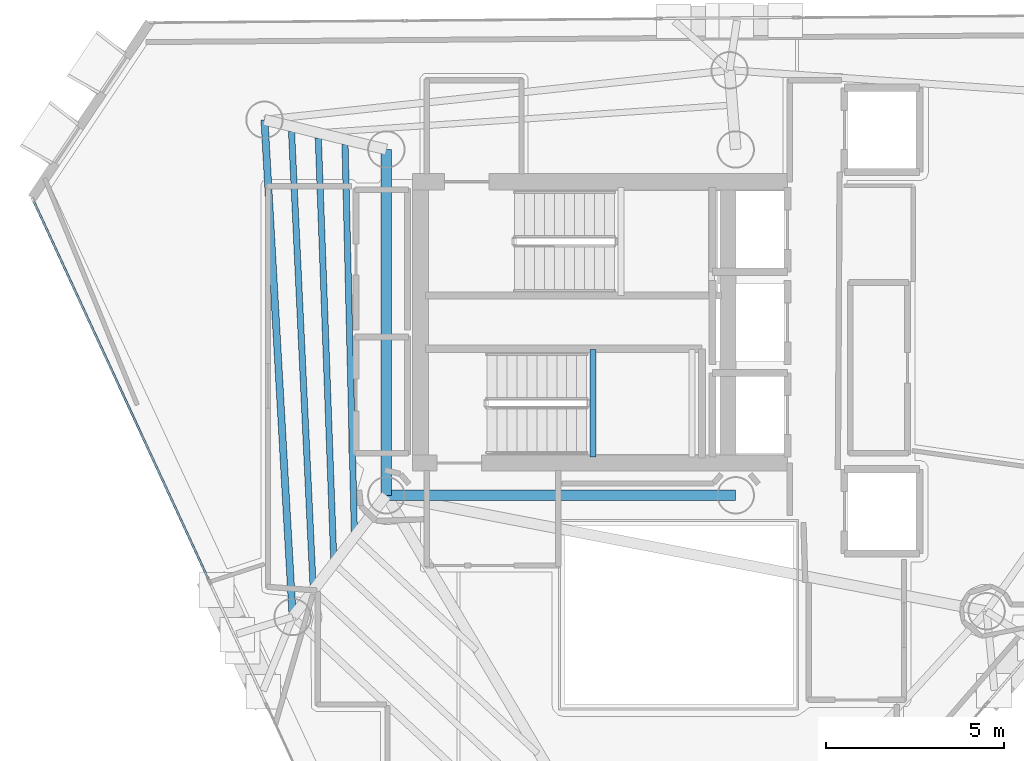
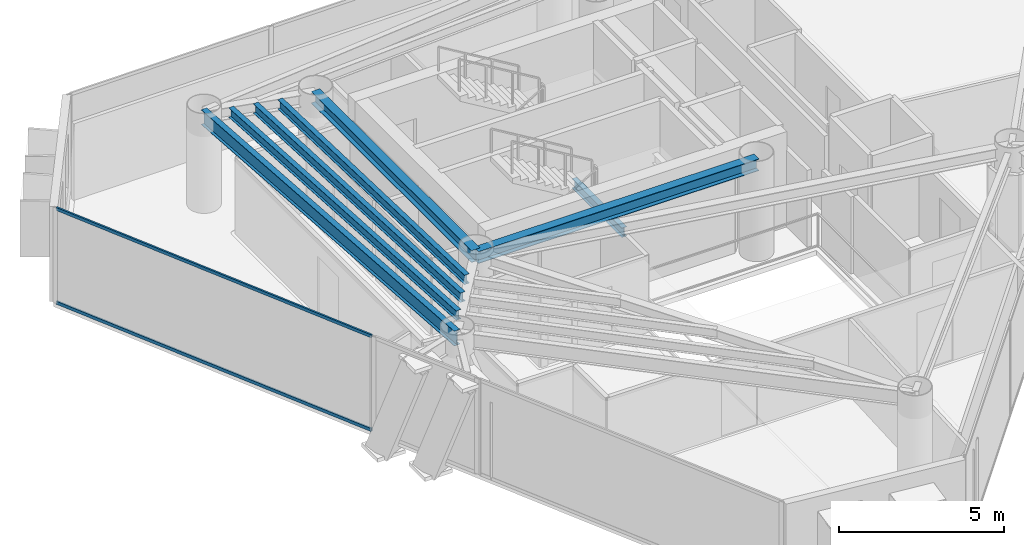
# One storey, part 7 of 21: 7 beams, 2 members, 1 element without a shape of its own.
"""IFC4 building model written with IfcOpenShell, lengths in metres."""

from ifc_helpers import new_model, si_unit, direction, frame, origin, origin_2d, place, context, subcontext, project, spatial, hollow_rectangle, i_section, extrude, material, layer, layer_set, material_profile, profile_set, type_object, element, aggregate, save


model = new_model("IFC4")

# Units and contexts
model_context = context("Model", 3, precision=1e-05, world=origin(), true_north=direction((0.0, 1.0)))
body_context = subcontext(model_context, "Body", "Model", "MODEL_VIEW")
ifc_project = project(units=[si_unit("LENGTHUNIT", "METRE"), si_unit("AREAUNIT", "SQUARE_METRE"), si_unit("VOLUMEUNIT", "CUBIC_METRE"), si_unit("PLANEANGLEUNIT", "RADIAN"), si_unit("MASSUNIT", "GRAM", prefix="KILO")], contexts=[model_context])

# Site, building, storey
site_placement = place(None, origin())
site = spatial("IfcSite", under=ifc_project, at=site_placement, CompositionType="ELEMENT")
building_placement = place(site_placement, origin())
building = spatial("IfcBuilding", under=site, at=building_placement, Name="Qianvela Tower", CompositionType="ELEMENT")
storey_placement = place(building_placement, frame((0.0, 0.0, 253.800048828125)))
storey = spatial("IfcBuildingStorey", under=building, at=storey_placement, Name="L65", CompositionType="ELEMENT", Elevation=253.800048828125)

# Beams
ifc_material_1 = material(Name="Steel Q355B", Category="steel")
ifc_material_profile_1 = material_profile(ifc_material_1, i_section(OverallWidth=0.300048828125, OverallDepth=0.43994140625, WebThickness=0.010986328125, FlangeThickness=0.01806640625, at=origin_2d()), Name="HM440x300x11x18")
ifc_profile_set_1 = profile_set([ifc_material_profile_1], Name="Steel Q355B")
beam_type_1 = type_object("IfcBeamType", Name="BM-HM440-COLL", PredefinedType="BEAM", material=ifc_profile_set_1)
beam_1_placement = place(storey_placement, frame((28.60009765625, 23.85009765625, 3.2978515625), z_axis=(1.0, 0.0, 0.0), x_axis=(0.0, 1.0, 0.0)))
element("IfcBeam", 1, at=beam_1_placement, inside=storey, type_object=beam_type_1, Name="L65 Core Ring Collector Girder CC1", PredefinedType="BEAM", context=body_context, shape_type="SweptSolid", body=[
    extrude(i_section(OverallWidth=0.300048828125, OverallDepth=0.43994140625, WebThickness=0.010986328125, FlangeThickness=0.01806640625, at=origin_2d()), origin(), (0.0, 0.0, 1.0), 9.7998046875),
])
beam_2_placement = place(storey_placement, frame((28.60009765625, 33.550048828125, 3.2978515625), z_axis=(0.0, -1.0, 0.0), x_axis=(1.0, 0.0, 0.0)))
element("IfcBeam", 2, at=beam_2_placement, inside=storey, type_object=beam_type_1, Name="L65 Core Ring Collector Girder CC2", PredefinedType="BEAM", context=body_context, shape_type="SweptSolid", body=[
    extrude(i_section(OverallWidth=0.300048828125, OverallDepth=0.43994140625, WebThickness=0.010986328125, FlangeThickness=0.01806640625, at=origin_2d()), origin(), (0.0, 0.0, 1.0), 9.699951171875),
])
ifc_material_2 = material(Name="Steel Q355B", Category="steel")
ifc_material_profile_2 = material_profile(ifc_material_2, i_section(OverallWidth=0.175048828125, OverallDepth=0.35009765625, WebThickness=0.007080078125, FlangeThickness=0.010986328125, at=origin_2d()), Name="HN350x175x7x11")
ifc_profile_set_2 = profile_set([ifc_material_profile_2], Name="Steel Q355B")
beam_type_2 = type_object("IfcBeamType", Name="BM-HN350-JOIST", PredefinedType="JOIST", material=ifc_profile_set_2)
beam_3_placement = place(storey_placement, frame((27.44140625, 33.6875, 3.343017578125), z_axis=(0.024087497273, -0.999709854145, 0.0), x_axis=(0.999709854145, 0.024087497273, 0.0)))
element("IfcBeam", 3, at=beam_3_placement, inside=storey, type_object=beam_type_2, Name="L65 Secondary Composite Floor Joist 3.1", PredefinedType="JOIST", context=body_context, shape_type="SweptSolid", body=[
    extrude(i_section(OverallWidth=0.175048828125, OverallDepth=0.35009765625, WebThickness=0.007080078125, FlangeThickness=0.010986328125, at=origin_2d()), origin(), (0.0, 0.0, 1.0), 10.855224609375),
])
beam_4_placement = place(storey_placement, frame((26.69140625, 33.87109375, 3.343017578125), z_axis=(0.036597460417, -0.999330088555, 0.0), x_axis=(0.999330088555, 0.036597460417, 0.0)))
element("IfcBeam", 4, at=beam_4_placement, inside=storey, type_object=beam_type_2, Name="L65 Secondary Composite Floor Joist 3.2", PredefinedType="JOIST", context=body_context, shape_type="SweptSolid", body=[
    extrude(i_section(OverallWidth=0.175048828125, OverallDepth=0.35009765625, WebThickness=0.007080078125, FlangeThickness=0.010986328125, at=origin_2d()), origin(), (0.0, 0.0, 1.0), 11.794189453125),
])
beam_5_placement = place(storey_placement, frame((25.94091796875, 34.0546875, 3.343017578125), z_axis=(0.04729372403, -0.998881025782, 0.0), x_axis=(0.998881025782, 0.04729372403, 0.0)))
element("IfcBeam", 5, at=beam_5_placement, inside=storey, type_object=beam_type_2, Name="L65 Secondary Composite Floor Joist 3.3", PredefinedType="JOIST", context=body_context, shape_type="SweptSolid", body=[
    extrude(i_section(OverallWidth=0.175048828125, OverallDepth=0.35009765625, WebThickness=0.007080078125, FlangeThickness=0.010986328125, at=origin_2d()), origin(), (0.0, 0.0, 1.0), 12.735107421875),
])
beam_6_placement = place(storey_placement, frame((34.39990234375, 24.919921875, 1.474853515625), z_axis=(0.0, 1.0, 0.0), x_axis=(-1.0, 0.0, 0.0)))
element("IfcBeam", 6, at=beam_6_placement, inside=storey, type_object=beam_type_2, Name="L65 Stair ST-2 Landing Support Beam 1.1", PredefinedType="JOIST", context=body_context, shape_type="SweptSolid", body=[
    extrude(i_section(OverallWidth=0.175048828125, OverallDepth=0.35009765625, WebThickness=0.007080078125, FlangeThickness=0.010986328125, at=origin_2d()), origin(), (0.0, 0.0, 1.0), 3.02001953125),
])
ifc_material_3 = material(Name="Steel Q355B", Category="steel")
ifc_material_profile_3 = material_profile(ifc_material_3, i_section(OverallWidth=0.199951171875, OverallDepth=0.550048828125, WebThickness=0.010009765625, FlangeThickness=0.01611328125, at=origin_2d()), Name="HN550x200x10x16")
ifc_profile_set_3 = profile_set([ifc_material_profile_3], Name="Steel Q355B")
beam_type_3 = type_object("IfcBeamType", Name="BM-HN550-GIRD", PredefinedType="BEAM", material=ifc_profile_set_3)
beam_7_placement = place(storey_placement, frame((25.181884765625, 34.384033203125, 3.242919921875), z_axis=(0.056555056691, -0.998399481952, 0.0), x_axis=(0.998399481952, 0.056555056691, 0.0)))
element("IfcBeam", 7, at=beam_7_placement, inside=storey, type_object=beam_type_3, Name="L65 Perimeter Ring Spandrel Girder 3", PredefinedType="BEAM", context=body_context, shape_type="SweptSolid", body=[
    extrude(i_section(OverallWidth=0.199951171875, OverallDepth=0.550048828125, WebThickness=0.010009765625, FlangeThickness=0.01611328125, at=origin_2d()), origin(), (0.0, 0.0, 1.0), 13.969482421875),
])

# Curtain wall, members
ifc_material_4 = material(Name="Anodised Architectural Aluminium and Low-E Glass", Category="aluminium")
ifc_layer = layer(ifc_material_4, 0.159912109375)
ifc_layer_set = layer_set([ifc_layer], Name="Anodised Architectural Aluminium and Low-E Glass")
curtain_wall_type = type_object("IfcCurtainWallType", Name="CW-COLIV-Z56", PredefinedType="USERDEFINED", material=ifc_layer_set)
curtain_wall_placement = place(storey_placement, origin())
curtain_wall = element("IfcCurtainWall", 8, at=curtain_wall_placement, inside=storey, type_object=curtain_wall_type, Name="L65 CW-COLIV-Z56 Curtain Wall 04A", ObjectType="CURTAIN_WALL_SYSTEM", PredefinedType="USERDEFINED")
ifc_material_5 = material(Name="Anodised Architectural Aluminium 6063-T6", Category="aluminium")
ifc_material_profile_4 = material_profile(ifc_material_5, hollow_rectangle(XDim=0.06005859375, YDim=0.114990234375, WallThickness=0.00390625, at=origin_2d()), Name="ALU-TRAN-60x115")
ifc_profile_set_4 = profile_set([ifc_material_profile_4], Name="Anodised Architectural Aluminium 6063-T6")
member_type = type_object("IfcMemberType", Name="CW-COLIV-Z56-TRAN", PredefinedType="USERDEFINED", material=ifc_profile_set_4)
member_1_placement = place(storey_placement, frame((18.71337890625, 32.088134765625, 0.030029296875), z_axis=(0.419455146277, -0.907776062838, 0.0), x_axis=(0.907776062838, 0.419455146277, 0.0)))
member_1 = element("IfcMember", 9, at=member_1_placement, type_object=member_type, Name="CW-5 transom 1.1", ObjectType="TRANSOM", PredefinedType="USERDEFINED", context=body_context, shape_type="SweptSolid", body=[
    extrude(hollow_rectangle(XDim=0.06005859375, YDim=0.114990234375, WallThickness=0.00390625, at=origin_2d()), origin(), (0.0, 0.0, 1.0), 11.66015625),
])
member_2_placement = place(storey_placement, frame((18.71337890625, 32.088134765625, 3.489990234375), z_axis=(0.419455146277, -0.907776062838, 0.0), x_axis=(0.907776062838, 0.419455146277, 0.0)))
member_2 = element("IfcMember", 10, at=member_2_placement, type_object=member_type, Name="CW-5 transom 1.2", ObjectType="TRANSOM", PredefinedType="USERDEFINED", context=body_context, shape_type="SweptSolid", body=[
    extrude(hollow_rectangle(XDim=0.06005859375, YDim=0.114990234375, WallThickness=0.00390625, at=origin_2d()), origin(), (0.0, 0.0, 1.0), 11.66015625),
])
aggregate(curtain_wall, [member_1, member_2])

save(model, "model.ifc")
